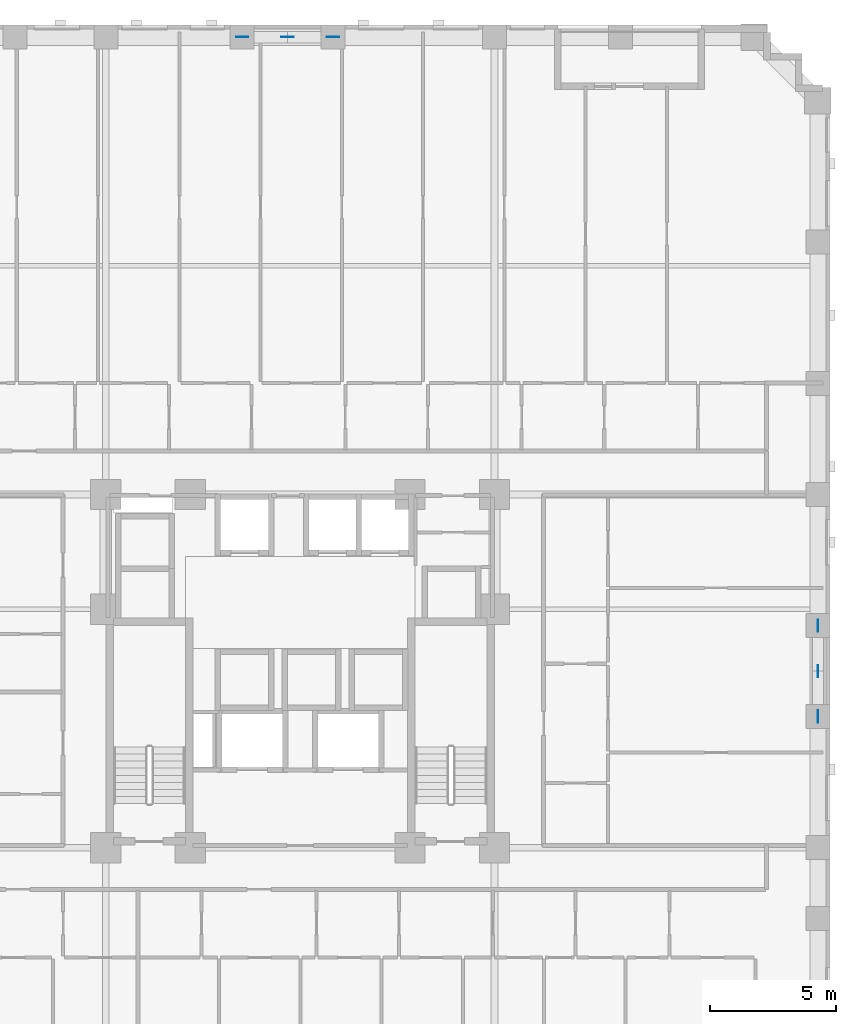
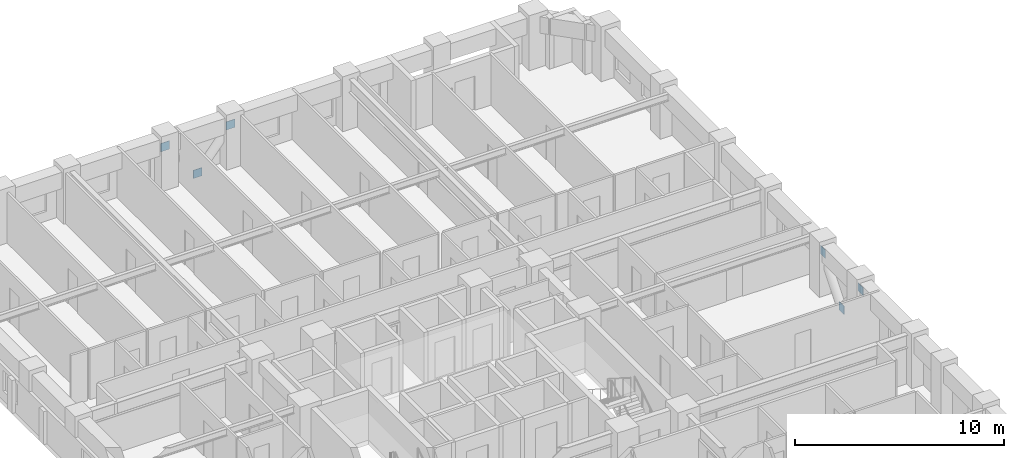
# One storey, part 11 of 14: 6 discrete accessories.
"""IFC4 building model written with IfcOpenShell, lengths in metres."""

from ifc_helpers import new_model, si_unit, derived_unit, direction, frame, origin, origin_2d, place, context, subcontext, project, spatial, rectangle, extrude, material, layer, layer_set, type_object, element, save


model = new_model("IFC4")

# Units and contexts
model_context = context("Model", 3, precision=1e-05, world=origin(), true_north=direction((0.0, 1.0)))
body_context = subcontext(model_context, "Body", "Model", "MODEL_VIEW")
ifc_project = project(units=[si_unit("LENGTHUNIT", "METRE"), si_unit("AREAUNIT", "SQUARE_METRE"), si_unit("VOLUMEUNIT", "CUBIC_METRE"), si_unit("PLANEANGLEUNIT", "RADIAN"), si_unit("MASSUNIT", "GRAM", prefix="KILO"), derived_unit("THERMALTRANSMITTANCEUNIT", [(si_unit("MASSUNIT", "GRAM", prefix="KILO"), 1), (si_unit("TIMEUNIT", "SECOND"), -3), (si_unit("THERMODYNAMICTEMPERATUREUNIT", "KELVIN"), -1)])], contexts=[model_context])

# Site, building, storey
site_placement = place(None, origin())
site = spatial("IfcSite", under=ifc_project, at=site_placement, CompositionType="ELEMENT")
building_placement = place(site_placement, origin())
building = spatial("IfcBuilding", under=site, at=building_placement, Name="Korrvale Station Residences", CompositionType="ELEMENT")
storey_placement = place(building_placement, frame((0.0, 0.0, 38.60009765625)))
storey = spatial("IfcBuildingStorey", under=building, at=storey_placement, Name="L09", CompositionType="ELEMENT", Elevation=38.60009765625)

# Discrete accessories
ifc_material = material(Name="Steel S355", Category="steel")
ifc_layer = layer(ifc_material, 0.02490234375, Name="Steel S355")
ifc_layer_set = layer_set([ifc_layer], Name="Steel S355")
discrete_accessory_type = type_object("IfcDiscreteAccessoryType", Name="ACC-GUSSET-25", PredefinedType="BRACKET", material=ifc_layer_set)
for number, where, z_axis, x_axis, name in (
    (1, (25.0, 47.1201171875, -0.219970703125), (0.0, 0.0, 1.0), (1.0, 0.0, 0.0), "L09 N Brace End Gusset Connection M"),
    (2, (23.199951171875, 47.1201171875, 1.969970703125), (0.0, 0.0, 1.0), (1.0, 0.0, 0.0), "L09 N Brace End Gusset Connection A"),
    (3, (26.800048828125, 47.1201171875, 1.969970703125), (0.0, 0.0, 1.0), (1.0, 0.0, 0.0), "L09 N Brace End Gusset Connection B"),
    (4, (46.02001953125, 22.0, -0.219970703125), (0.0, 0.0, 1.0), (0.0, 1.0, 0.0), "L09 E Brace End Gusset Connection M"),
    (5, (46.02001953125, 20.199951171875, 1.969970703125), (0.0, 0.0, 1.0), (0.0, 1.0, 0.0), "L09 E Brace End Gusset Connection A"),
    (6, (46.02001953125, 23.800048828125, 1.969970703125), (0.0, 0.0, 1.0), (0.0, 1.0, 0.0), "L09 E Brace End Gusset Connection B"),
):
    element("IfcDiscreteAccessory", number, at=place(storey_placement, frame(where, z_axis=z_axis, x_axis=x_axis)), inside=storey, type_object=discrete_accessory_type, Name=name, PredefinedType="BRACKET", context=body_context, shape_type="SweptSolid", body=[
        extrude(rectangle(XDim=0.47998046875, YDim=0.02490234375, at=origin_2d()), origin(), (0.0, 0.0, 1.0), 0.47998046875),
    ])

save(model, "model.ifc")
